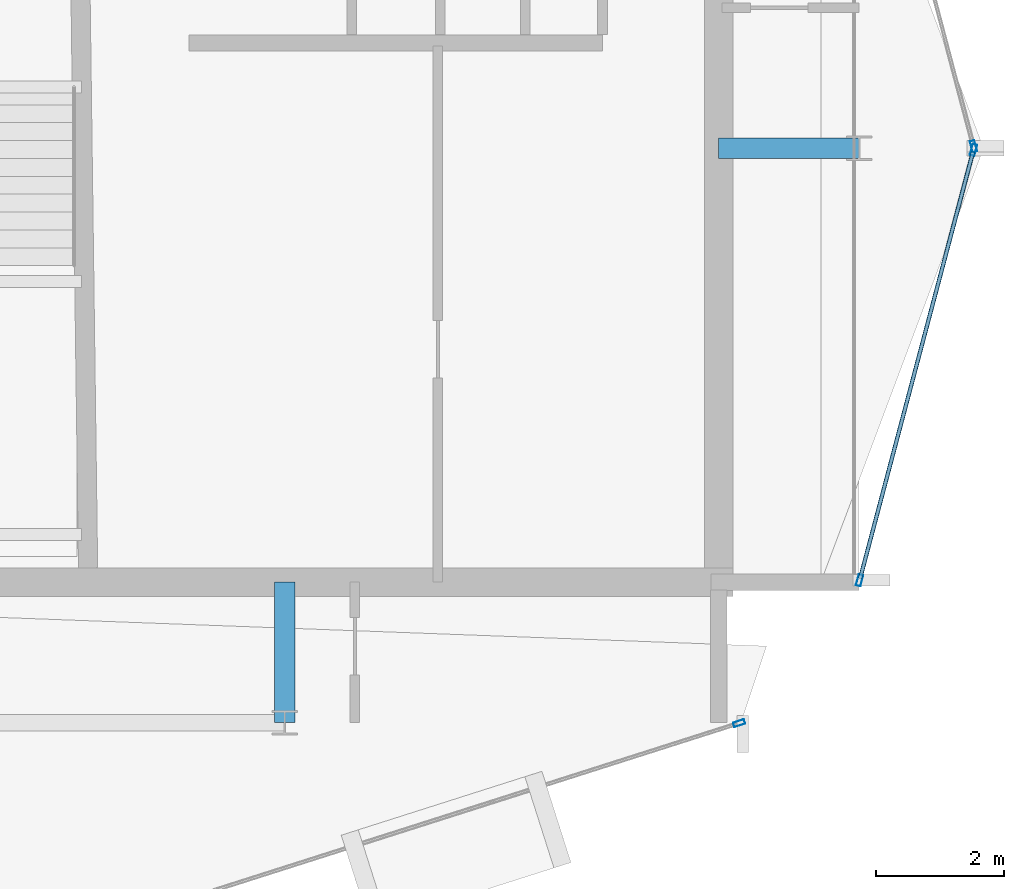
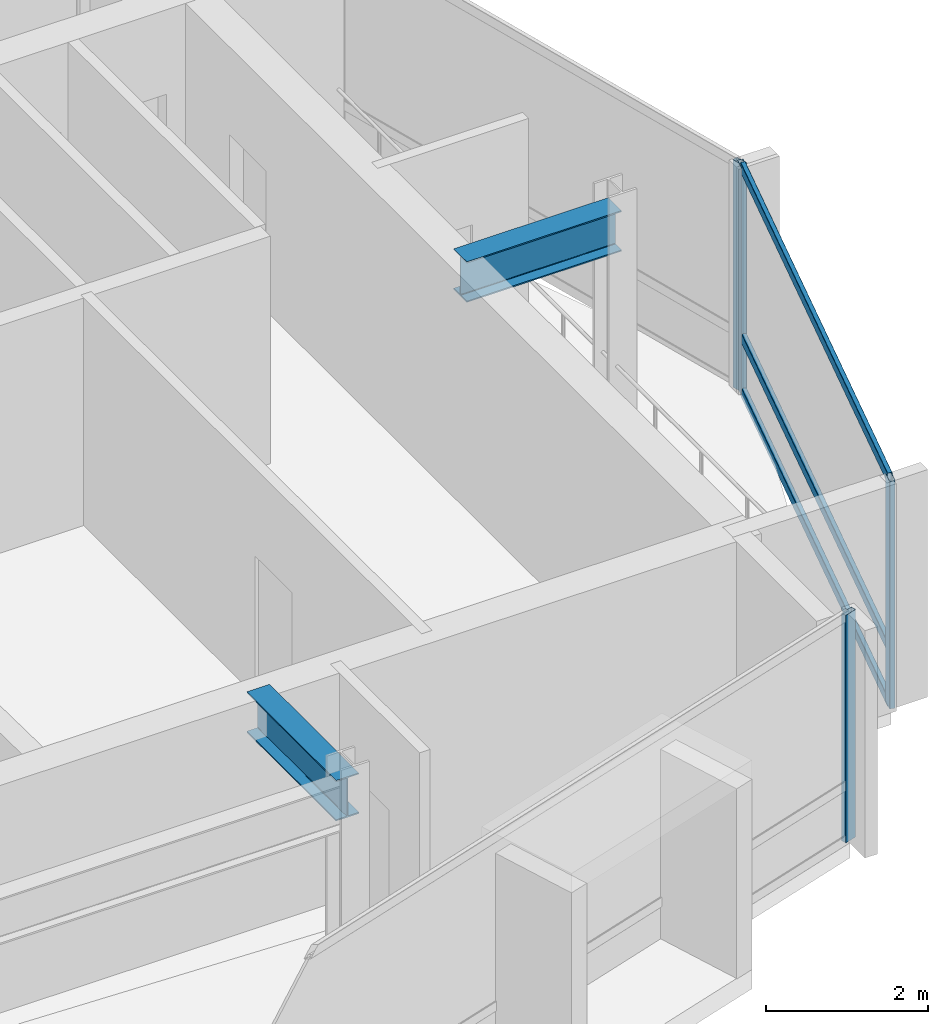
# One storey, part 9 of 19: 7 members, 2 beams, 3 elements without a shape of their own.
"""IFC4 building model written with IfcOpenShell, lengths in metres."""

from ifc_helpers import new_model, si_unit, direction, frame, origin, origin_2d, place, context, subcontext, project, spatial, hollow_rectangle, i_section, extrude, material, layer, layer_set, material_profile, profile_set, type_object, element, aggregate, save


model = new_model("IFC4")

# Units and contexts
model_context = context("Model", 3, precision=1e-05, world=origin(), true_north=direction((0.0, 1.0)))
body_context = subcontext(model_context, "Body", "Model", "MODEL_VIEW")
ifc_project = project(units=[si_unit("LENGTHUNIT", "METRE"), si_unit("AREAUNIT", "SQUARE_METRE"), si_unit("VOLUMEUNIT", "CUBIC_METRE"), si_unit("PLANEANGLEUNIT", "RADIAN"), si_unit("MASSUNIT", "GRAM", prefix="KILO")], contexts=[model_context])

# Site, building, storey
site_placement = place(None, origin())
site = spatial("IfcSite", under=ifc_project, at=site_placement, CompositionType="ELEMENT")
building_placement = place(site_placement, origin())
building = spatial("IfcBuilding", under=site, at=building_placement, Name="Solvaryn Broadcast Tower", CompositionType="ELEMENT")
storey_placement = place(building_placement, frame((0.0, 0.0, 244.5)))
storey = spatial("IfcBuildingStorey", under=building, at=storey_placement, Name="L61", CompositionType="ELEMENT", Elevation=244.5)

# Beams
ifc_material_1 = material(Name="Steel ASTM A992 Grade 50", Category="steel")
ifc_material_profile_1 = material_profile(ifc_material_1, i_section(OverallWidth=0.323974609375, OverallDepth=0.611083984375, WebThickness=0.0126953125, FlangeThickness=0.01904296875, FilletRadius=0.014892578125, at=origin_2d()))
ifc_profile_set_1 = profile_set([ifc_material_profile_1], Name="Steel ASTM A992 Grade 50")
beam_type = type_object("IfcBeamType", Name="BM-B1-W24X104", PredefinedType="BEAM", material=ifc_profile_set_1)
for number, where, z_axis, x_axis, name in (
    (1, (36.0, 9.0, 3.114501953125), (0.0, 1.0, 0.0), (-1.0, 0.0, 0.0), "L61 Core Tie Beam CTE1"),
    (2, (42.800048828125, 18.0, 3.114501953125), (1.0, 0.0, 0.0), (0.0, 1.0, 0.0), "L61 Core Tie Beam CTE3"),
):
    element("IfcBeam", number, at=place(storey_placement, frame(where, z_axis=z_axis, x_axis=x_axis)), inside=storey, type_object=beam_type, Name=name, PredefinedType="BEAM", context=body_context, shape_type="SweptSolid", body=[
        extrude(i_section(OverallWidth=0.323974609375, OverallDepth=0.611083984375, WebThickness=0.0126953125, FlangeThickness=0.01904296875, FilletRadius=0.014892578125, at=origin_2d()), origin(), (0.0, 0.0, 1.0), 2.199951171875),
    ])

# Curtain wall, member
ifc_material_2 = material(Name="Aluminium and Terracotta Unitised Curtain Wall", Category="masonry")
ifc_layer = layer(ifc_material_2, 0.199951171875)
ifc_layer_set = layer_set([ifc_layer], Name="CW-SYS2-LOWMID")
curtain_wall_type = type_object("IfcCurtainWallType", Name="CW-SYS2-LOWMID", PredefinedType="NOTDEFINED", material=ifc_layer_set)
curtain_wall_1_placement = place(storey_placement, origin())
curtain_wall_1 = element("IfcCurtainWall", 3, at=curtain_wall_1_placement, inside=storey, type_object=curtain_wall_type, Name="L61 Curtain Wall DR4", PredefinedType="NOTDEFINED")
ifc_material_3 = material(Name="Anodised Aluminium 6063-T6", Category="aluminium")
ifc_material_profile_2 = material_profile(ifc_material_3, hollow_rectangle(XDim=0.074951171875, YDim=0.179931640625, WallThickness=0.00390625, InnerFilletRadius=0.00390625, OuterFilletRadius=0.008056640625, at=origin_2d()))
ifc_profile_set_2 = profile_set([ifc_material_profile_2], Name="Anodised Aluminium 6063-T6")
member_type_1 = type_object("IfcMemberType", Name="CW-MUL-180", PredefinedType="MULLION", material=ifc_profile_set_2)
member_1_placement = place(storey_placement, frame((43.120361328125, 8.990966796875, 0.0), z_axis=(0.0, 0.0, 1.0), x_axis=(-0.30361564569, 0.952794594701, 0.0)))
member_1 = element("IfcMember", 4, at=member_1_placement, type_object=member_type_1, Name="CWS2 mullion 2", PredefinedType="MULLION", context=body_context, shape_type="SweptSolid", body=[
    extrude(hollow_rectangle(XDim=0.074951171875, YDim=0.179931640625, WallThickness=0.00390625, InnerFilletRadius=0.00390625, OuterFilletRadius=0.008056640625, at=origin_2d()), origin(), (0.0, 0.0, 1.0), 3.419921875),
])
aggregate(curtain_wall_1, [member_1])

curtain_wall_2_placement = place(storey_placement, origin())
curtain_wall_2 = element("IfcCurtainWall", 5, at=curtain_wall_2_placement, inside=storey, type_object=curtain_wall_type, Name="L61 Curtain Wall ET1", PredefinedType="NOTDEFINED")
member_2_placement = place(storey_placement, frame((46.792236328125, 18.029052734375, 0.0), z_axis=(0.0, 0.0, 1.0), x_axis=(0.966705227863, 0.25589256031, 0.0)))
member_2 = element("IfcMember", 6, at=member_2_placement, type_object=member_type_1, Name="CWS2 mullion 2", PredefinedType="MULLION", context=body_context, shape_type="SweptSolid", body=[
    extrude(hollow_rectangle(XDim=0.074951171875, YDim=0.179931640625, WallThickness=0.00390625, InnerFilletRadius=0.00390625, OuterFilletRadius=0.008056640625, at=origin_2d()), origin(), (0.0, 0.0, 1.0), 3.419921875),
])
aggregate(curtain_wall_2, [member_2])

# Curtain wall, members
curtain_wall_3_placement = place(storey_placement, origin())
curtain_wall_3 = element("IfcCurtainWall", 7, at=curtain_wall_3_placement, inside=storey, type_object=curtain_wall_type, Name="L61 Curtain Wall ET2", PredefinedType="NOTDEFINED")
member_3_placement = place(storey_placement, frame((46.792236328125, 17.970947265625, 0.0), z_axis=(0.0, 0.0, 1.0), x_axis=(0.966705227863, -0.25589256031, 0.0)))
member_3 = element("IfcMember", 8, at=member_3_placement, type_object=member_type_1, Name="CWS2 mullion 1", PredefinedType="MULLION", context=body_context, shape_type="SweptSolid", body=[
    extrude(hollow_rectangle(XDim=0.074951171875, YDim=0.179931640625, WallThickness=0.00390625, InnerFilletRadius=0.00390625, OuterFilletRadius=0.008056640625, at=origin_2d()), origin(), (0.0, 0.0, 1.0), 3.419921875),
])
member_4_placement = place(storey_placement, frame((45.007568359375, 11.22900390625, 0.0), z_axis=(0.0, 0.0, 1.0), x_axis=(0.966705227863, -0.25589256031, 0.0)))
member_4 = element("IfcMember", 9, at=member_4_placement, type_object=member_type_1, Name="CWS2 mullion 2", PredefinedType="MULLION", context=body_context, shape_type="SweptSolid", body=[
    extrude(hollow_rectangle(XDim=0.074951171875, YDim=0.179931640625, WallThickness=0.00390625, InnerFilletRadius=0.00390625, OuterFilletRadius=0.008056640625, at=origin_2d()), origin(), (0.0, 0.0, 1.0), 3.419921875),
])
ifc_material_4 = material(Name="Anodised Aluminium 6063-T6", Category="aluminium")
ifc_material_profile_3 = material_profile(ifc_material_4, hollow_rectangle(XDim=0.06494140625, YDim=0.14990234375, WallThickness=0.00390625, InnerFilletRadius=0.00390625, OuterFilletRadius=0.008056640625, at=origin_2d()))
ifc_profile_set_3 = profile_set([ifc_material_profile_3], Name="Anodised Aluminium 6063-T6")
member_type_2 = type_object("IfcMemberType", Name="CW-TRN-150", PredefinedType="USERDEFINED", material=ifc_profile_set_3)
member_5_placement = place(storey_placement, frame((46.78466796875, 17.94189453125, 0.030029296875), z_axis=(-0.255897413051, -0.966703943301, 0.0), x_axis=(0.966703943301, -0.255897413051, 0.0)))
member_5 = element("IfcMember", 10, at=member_5_placement, type_object=member_type_2, Name="CWS2 transom 1.1", ObjectType="TRANSOM", PredefinedType="USERDEFINED", context=body_context, shape_type="SweptSolid", body=[
    extrude(hollow_rectangle(XDim=0.06494140625, YDim=0.14990234375, WallThickness=0.00390625, InnerFilletRadius=0.00390625, OuterFilletRadius=0.008056640625, at=origin_2d()), origin(), (0.0, 0.0, 1.0), 6.9140625),
])
member_6_placement = place(storey_placement, frame((46.78466796875, 17.94189453125, 0.85009765625), z_axis=(-0.255897413051, -0.966703943301, 0.0), x_axis=(0.966703943301, -0.255897413051, 0.0)))
member_6 = element("IfcMember", 11, at=member_6_placement, type_object=member_type_2, Name="CWS2 transom 1.2", ObjectType="TRANSOM", PredefinedType="USERDEFINED", context=body_context, shape_type="SweptSolid", body=[
    extrude(hollow_rectangle(XDim=0.06494140625, YDim=0.14990234375, WallThickness=0.00390625, InnerFilletRadius=0.00390625, OuterFilletRadius=0.008056640625, at=origin_2d()), origin(), (0.0, 0.0, 1.0), 6.9140625),
])
member_7_placement = place(storey_placement, frame((46.78466796875, 17.94189453125, 3.389892578125), z_axis=(-0.255897413051, -0.966703943301, 0.0), x_axis=(0.966703943301, -0.255897413051, 0.0)))
member_7 = element("IfcMember", 12, at=member_7_placement, type_object=member_type_2, Name="CWS2 transom 1.3", ObjectType="TRANSOM", PredefinedType="USERDEFINED", context=body_context, shape_type="SweptSolid", body=[
    extrude(hollow_rectangle(XDim=0.06494140625, YDim=0.14990234375, WallThickness=0.00390625, InnerFilletRadius=0.00390625, OuterFilletRadius=0.008056640625, at=origin_2d()), origin(), (0.0, 0.0, 1.0), 6.9140625),
])
aggregate(curtain_wall_3, [member_3, member_4, member_5, member_6, member_7])

save(model, "model.ifc")
